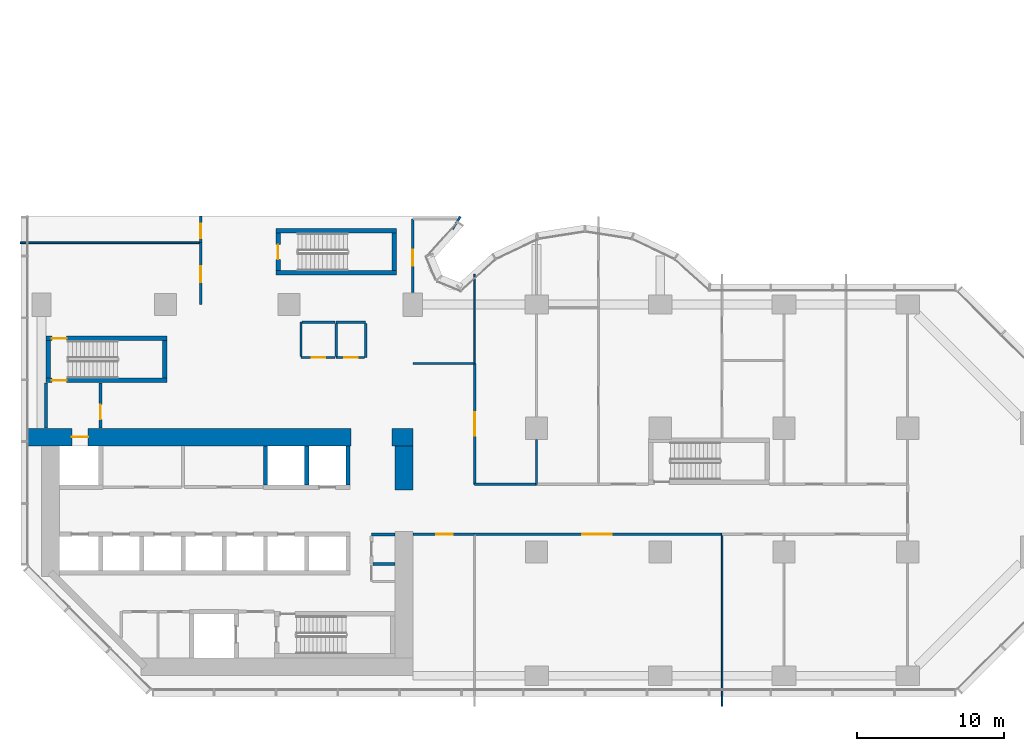
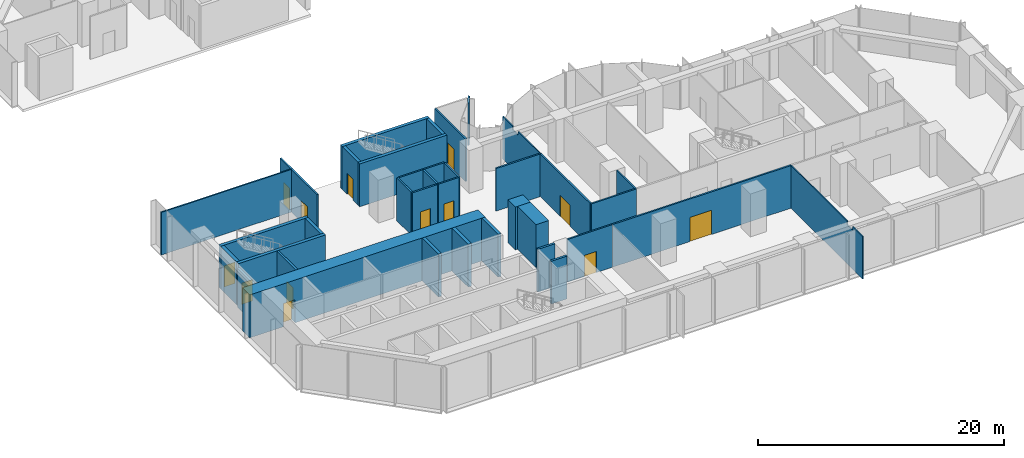
# One storey, part 8 of 13: 38 walls, 13 doors, 13 openings.
"""IFC4 building model written with IfcOpenShell, lengths in metres."""

from ifc_helpers import new_model, si_unit, direction, frame, frame_2d, origin, place, context, subcontext, project, spatial, polyline, rectangle, outline, extrude, material, layer, layer_set, type_object, element, fill, save


model = new_model("IFC4")

# Units and contexts
model_context = context("Model", 3, precision=1e-05, world=origin(), true_north=direction((0.0, 1.0)))
body_context = subcontext(model_context, "Body", "Model", "MODEL_VIEW")
ifc_project = project(units=[si_unit("LENGTHUNIT", "METRE"), si_unit("AREAUNIT", "SQUARE_METRE"), si_unit("VOLUMEUNIT", "CUBIC_METRE"), si_unit("PLANEANGLEUNIT", "RADIAN"), si_unit("MASSUNIT", "GRAM", prefix="KILO")], contexts=[model_context])

# Site, building, storey
site_placement = place(None, origin())
site = spatial("IfcSite", under=ifc_project, at=site_placement, CompositionType="ELEMENT")
building_placement = place(site_placement, origin())
building = spatial("IfcBuilding", under=site, at=building_placement, Name="Brevane Broadcast Tower", CompositionType="ELEMENT")
storey_placement = place(building_placement, frame((0.0, 0.0, 32.0)))
storey = spatial("IfcBuildingStorey", under=building, at=storey_placement, Name="L05", CompositionType="ELEMENT", Elevation=32.0)

# Walls
ifc_material_1 = material(Name="Gypsum board on steel studs", Category="steel")
ifc_layer_1 = layer(ifc_material_1, 0.14990234375)
ifc_layer_set_1 = layer_set([ifc_layer_1], Name="Core fire partition 150 mm")
wall_type_1 = type_object("IfcWallType", Name="Core fire partition 150 mm", PredefinedType="PARTITIONING", material=ifc_layer_set_1)
wall_1_placement = place(storey_placement, frame((20.0, 24.0, 0.0), z_axis=(0.0, 0.0, 1.0), x_axis=(1.0, 0.0, 0.0)))
element("IfcWall", 1, at=wall_1_placement, inside=storey, type_object=wall_type_1, Name="L05 partition wall P14", PredefinedType="PARTITIONING", context=body_context, shape_type="SweptSolid", body=[
    extrude(rectangle(XDim=2.0, YDim=0.14990234375, at=frame_2d((1.0, 0.0))), origin(), (0.0, 0.0, 1.0), 4.25),
])
wall_2_placement = place(storey_placement, frame((22.0, 23.925048828125, 0.0), z_axis=(0.0, 0.0, 1.0), x_axis=(0.0, -1.0, 0.0)))
element("IfcWall", 2, at=wall_2_placement, inside=storey, type_object=wall_type_1, Name="L05 partition wall P15", PredefinedType="PARTITIONING", context=body_context, shape_type="SweptSolid", body=[
    extrude(rectangle(XDim=2.324951171875, YDim=0.14990234375, at=frame_2d((1.16259765625, 0.0))), origin(), (0.0, 0.0, 1.0), 4.25),
])

# Wall, opening, door
wall_3_placement = place(storey_placement, frame((21.925048828125, 21.60009765625, 0.0), z_axis=(0.0, 0.0, 1.0), x_axis=(-1.0, 0.0, 0.0)))
wall_3 = element("IfcWall", 3, at=wall_3_placement, inside=storey, type_object=wall_type_1, Name="L05 partition wall P16", PredefinedType="PARTITIONING", context=body_context, shape_type="SweptSolid", body=[
    extrude(rectangle(XDim=1.925048828125, YDim=0.14990234375, at=frame_2d((0.96240234375, 0.0))), origin(), (0.0, 0.0, 1.0), 4.25),
])
opening_1_placement = place(wall_3_placement, frame((0.47509765625, 0.0, 0.0)))
opening_1 = element("IfcOpeningElement", 4, at=opening_1_placement, cuts=wall_3, Name="Opening L05-K27", PredefinedType="OPENING", context=body_context, shape_type="SweptSolid", body=[
    extrude(rectangle(XDim=0.89990234375, YDim=2.10009765625, at=frame_2d((0.449951171875, 1.050048828125))), frame((0.0, 0.0849609375, 0.0), z_axis=(0.0, -1.0, 0.0), x_axis=(1.0, 0.0, 0.0)), (0.0, 0.0, 1.0), 0.169921875),
])
ifc_material_2 = material(Name="Timber", Category="wood")
door_type_1 = type_object("IfcDoorType", Name="Toilet door 900 x 2100", OperationType="SINGLE_SWING_LEFT", PredefinedType="DOOR", material=ifc_material_2)
door_1_placement = place(opening_1_placement, origin())
door_1 = element("IfcDoor", 5, at=door_1_placement, inside=storey, type_object=door_type_1, Name="Door L05-K27", OperationType="SINGLE_SWING_RIGHT", OverallHeight=2.10009765625, OverallWidth=0.89990234375, PredefinedType="DOOR", context=body_context, shape_type="SweptSolid", body=[
    extrude(rectangle(XDim=0.89990234375, YDim=2.10009765625, at=frame_2d((0.449951171875, 1.050048828125))), frame((0.0, 0.02490234375, 0.0), z_axis=(0.0, -1.0, 0.0), x_axis=(1.0, 0.0, 0.0)), (0.0, 0.0, 1.0), 0.050048828125),
])
fill(opening_1, door_1)

# Wall
wall_4_placement = place(storey_placement, frame((20.0, 21.675048828125, 0.0), z_axis=(0.0, 0.0, 1.0), x_axis=(0.0, 1.0, 0.0)))
element("IfcWall", 6, at=wall_4_placement, inside=storey, type_object=wall_type_1, Name="L05 partition wall P17", PredefinedType="PARTITIONING", context=body_context, shape_type="SweptSolid", body=[
    extrude(rectangle(XDim=2.25, YDim=0.14990234375, at=frame_2d((1.125, 0.0))), origin(), (0.0, 0.0, 1.0), 4.25),
])

# Wall, opening, door
wall_5_placement = place(storey_placement, frame((19.925048828125, 21.60009765625, 0.0), z_axis=(0.0, 0.0, 1.0), x_axis=(-1.0, 0.0, 0.0)))
wall_5 = element("IfcWall", 7, at=wall_5_placement, inside=storey, type_object=wall_type_1, Name="L05 partition wall P18", PredefinedType="PARTITIONING", context=body_context, shape_type="SweptSolid", body=[
    extrude(rectangle(XDim=2.324951171875, YDim=0.14990234375, at=frame_2d((1.16259765625, 0.0))), origin(), (0.0, 0.0, 1.0), 4.25),
])
opening_2_placement = place(wall_5_placement, frame((0.675048828125, 0.0, 0.0)))
opening_2 = element("IfcOpeningElement", 8, at=opening_2_placement, cuts=wall_5, Name="Opening L05-K28", PredefinedType="OPENING", context=body_context, shape_type="SweptSolid", body=[
    extrude(rectangle(XDim=0.89990234375, YDim=2.10009765625, at=frame_2d((0.449951171875, 1.050048828125))), frame((0.0, 0.0849609375, 0.0), z_axis=(0.0, -1.0, 0.0), x_axis=(1.0, 0.0, 0.0)), (0.0, 0.0, 1.0), 0.169921875),
])
ifc_material_3 = material(Name="Steel", Category="steel")
door_type_2 = type_object("IfcDoorType", Name="Service room door 900 x 2100", OperationType="SINGLE_SWING_LEFT", PredefinedType="DOOR", material=ifc_material_3)
door_2_placement = place(opening_2_placement, origin())
door_2 = element("IfcDoor", 9, at=door_2_placement, inside=storey, type_object=door_type_2, Name="Door L05-K28", OperationType="SINGLE_SWING_LEFT", OverallHeight=2.10009765625, OverallWidth=0.89990234375, PredefinedType="DOOR", context=body_context, shape_type="SweptSolid", body=[
    extrude(rectangle(XDim=0.89990234375, YDim=2.10009765625, at=frame_2d((0.449951171875, 1.050048828125))), frame((0.0, 0.02490234375, 0.0), z_axis=(0.0, -1.0, 0.0), x_axis=(1.0, 0.0, 0.0)), (0.0, 0.0, 1.0), 0.050048828125),
])
fill(opening_2, door_2)

# Walls
wall_6_placement = place(storey_placement, frame((17.60009765625, 21.675048828125, 0.0), z_axis=(0.0, 0.0, 1.0), x_axis=(0.0, 1.0, 0.0)))
element("IfcWall", 10, at=wall_6_placement, inside=storey, type_object=wall_type_1, Name="L05 partition wall P19", PredefinedType="PARTITIONING", context=body_context, shape_type="SweptSolid", body=[
    extrude(rectangle(XDim=2.324951171875, YDim=0.14990234375, at=frame_2d((1.16259765625, 0.0))), origin(), (0.0, 0.0, 1.0), 4.25),
])
wall_7_placement = place(storey_placement, frame((17.675048828125, 24.0, 0.0), z_axis=(0.0, 0.0, 1.0), x_axis=(1.0, 0.0, 0.0)))
element("IfcWall", 11, at=wall_7_placement, inside=storey, type_object=wall_type_1, Name="L05 partition wall P20", PredefinedType="PARTITIONING", context=body_context, shape_type="SweptSolid", body=[
    extrude(rectangle(XDim=2.25, YDim=0.14990234375, at=frame_2d((1.125, 0.0))), origin(), (0.0, 0.0, 1.0), 4.25),
])
ifc_layer_2 = layer(ifc_material_1, 0.199951171875)
ifc_layer_set_2 = layer_set([ifc_layer_2], Name="Core fire partition 200 mm")
wall_type_2 = type_object("IfcWallType", Name="Core fire partition 200 mm", PredefinedType="PARTITIONING", material=ifc_layer_set_2)
wall_8_placement = place(storey_placement, frame((0.300048828125, 16.81201171875, 0.0), z_axis=(0.0, 0.0, 1.0), x_axis=(0.0, 1.0, 0.0)))
element("IfcWall", 12, at=wall_8_placement, inside=storey, type_object=wall_type_2, Name="L05 partition wall P01", PredefinedType="PARTITIONING", context=body_context, shape_type="SweptSolid", body=[
    extrude(rectangle(XDim=3.075927734375, YDim=0.199951171875, at=frame_2d((1.5380859375, 0.0))), origin(), (0.0, 0.0, 1.0), 3.8798828125),
])

# Wall, opening, door
wall_9_placement = place(storey_placement, frame((4.0, 19.887939453125, 0.0), z_axis=(0.0, 0.0, 1.0), x_axis=(0.0, -1.0, 0.0)))
wall_9 = element("IfcWall", 13, at=wall_9_placement, inside=storey, type_object=wall_type_2, Name="L05 partition wall P02", PredefinedType="PARTITIONING", context=body_context, shape_type="SweptSolid", body=[
    extrude(rectangle(XDim=3.075927734375, YDim=0.199951171875, at=frame_2d((1.5380859375, 0.0))), origin(), (0.0, 0.0, 1.0), 4.25),
])
opening_3_placement = place(wall_9_placement, frame((1.488037109375, 0.0, 0.0)))
opening_3 = element("IfcOpeningElement", 14, at=opening_3_placement, cuts=wall_9, Name="Opening L05-K26", PredefinedType="OPENING", context=body_context, shape_type="SweptSolid", body=[
    extrude(rectangle(XDim=1.0, YDim=2.10009765625, at=frame_2d((0.5, 1.050048828125))), frame((0.0, 0.10986328125, 0.0), z_axis=(0.0, -1.0, 0.0), x_axis=(1.0, 0.0, 0.0)), (0.0, 0.0, 1.0), 0.219970703125),
])
door_type_3 = type_object("IfcDoorType", Name="Stair door 1000 x 2100", OperationType="SINGLE_SWING_LEFT", PredefinedType="DOOR", material=ifc_material_3)
door_3_placement = place(opening_3_placement, origin())
door_3 = element("IfcDoor", 15, at=door_3_placement, inside=storey, type_object=door_type_3, Name="Door L05-K26", OperationType="SINGLE_SWING_LEFT", OverallHeight=2.10009765625, OverallWidth=1.0, PredefinedType="DOOR", context=body_context, shape_type="SweptSolid", body=[
    extrude(rectangle(XDim=1.0, YDim=2.10009765625, at=frame_2d((0.5, 1.050048828125))), frame((0.0, 0.02490234375, 0.0), z_axis=(0.0, -1.0, 0.0), x_axis=(1.0, 0.0, 0.0)), (0.0, 0.0, 1.0), 0.050048828125),
])
fill(opening_3, door_3)

# Walls
wall_10_placement = place(storey_placement, frame((23.988037109375, 9.60009765625, 0.0), z_axis=(0.0, 0.0, 1.0), x_axis=(-1.0, 0.0, 0.0)))
element("IfcWall", 16, at=wall_10_placement, inside=storey, type_object=wall_type_2, Name="L05 partition wall P06", PredefinedType="PARTITIONING", context=body_context, shape_type="SweptSolid", body=[
    extrude(rectangle(XDim=1.588134765625, YDim=0.199951171875, at=frame_2d((0.7939453125, 0.0))), origin(), (0.0, 0.0, 1.0), 4.25),
])
wall_11_placement = place(storey_placement, frame((22.5, 7.60009765625, 0.0), z_axis=(0.0, 0.0, 1.0), x_axis=(1.0, 0.0, 0.0)))
element("IfcWall", 17, at=wall_11_placement, inside=storey, type_object=wall_type_2, Name="L05 partition wall P08", PredefinedType="PARTITIONING", context=body_context, shape_type="SweptSolid", body=[
    extrude(rectangle(XDim=1.488037109375, YDim=0.199951171875, at=frame_2d((0.744140625, 0.0))), origin(), (0.0, 0.0, 1.0), 4.25),
])

# Wall, opening, door
ifc_material_4 = material(Name="Concrete C80/95", Category="concrete")
ifc_layer_3 = layer(ifc_material_4, 1.199951171875)
ifc_layer_set_3 = layer_set([ifc_layer_3], Name="Core wall 1200 mm C80/95")
wall_type_3 = type_object("IfcWallType", Name="Core wall 1200 mm C80/95", PredefinedType="SHEAR", material=ifc_layer_set_3)
wall_12_placement = place(storey_placement, frame((-1.10009765625, 16.199951171875, 0.0), z_axis=(0.0, 0.0, 1.0), x_axis=(1.0, 0.0, 0.0)))
wall_12 = element("IfcWall", 18, at=wall_12_placement, inside=storey, type_object=wall_type_3, Name="L05 outer wall WN1", PredefinedType="SHEAR", context=body_context, shape_type="SweptSolid", body=[
    extrude(rectangle(XDim=22.10009765625, YDim=1.199951171875, at=frame_2d((11.050048828125, 0.0))), origin(), (0.0, 0.0, 1.0), 4.25),
])
opening_4_placement = place(wall_12_placement, frame((3.14990234375, 0.0, 0.0)))
opening_4 = element("IfcOpeningElement", 19, at=opening_4_placement, cuts=wall_12, Name="Opening LD", PredefinedType="OPENING", context=body_context, shape_type="SweptSolid", body=[
    extrude(rectangle(XDim=1.10009765625, YDim=2.300048828125, at=frame_2d((0.550048828125, 1.14990234375))), frame((0.0, 0.60986328125, 0.0), z_axis=(0.0, -1.0, 0.0), x_axis=(1.0, 0.0, 0.0)), (0.0, 0.0, 1.0), 1.219970703125),
])
ifc_material_5 = material(Name="Stainless steel", Category="steel")
door_type_4 = type_object("IfcDoorType", Name="Lift landing door", OperationType="SLIDING_TO_LEFT", PredefinedType="DOOR", material=ifc_material_5)
door_4_placement = place(opening_4_placement, origin())
door_4 = element("IfcDoor", 20, at=door_4_placement, inside=storey, type_object=door_type_4, Name="Landing door FF1 L05", OperationType="SLIDING_TO_LEFT", OverallHeight=2.300048828125, OverallWidth=1.10009765625, PredefinedType="DOOR", context=body_context, shape_type="SweptSolid", body=[
    extrude(rectangle(XDim=1.10009765625, YDim=2.300048828125, at=frame_2d((0.550048828125, 1.14990234375))), frame((0.0, 0.02490234375, 0.0), z_axis=(0.0, -1.0, 0.0), x_axis=(1.0, 0.0, 0.0)), (0.0, 0.0, 1.0), 0.050048828125),
])
fill(opening_4, door_4)

# Walls
wall_13_placement = place(storey_placement, frame((23.800048828125, 16.199951171875, 0.0), z_axis=(0.0, 0.0, 1.0), x_axis=(1.0, 0.0, 0.0)))
element("IfcWall", 21, at=wall_13_placement, inside=storey, type_object=wall_type_3, Name="L05 outer wall WN2", PredefinedType="SHEAR", context=body_context, shape_type="SweptSolid", body=[
    extrude(rectangle(XDim=1.39990234375, YDim=1.199951171875, at=frame_2d((0.699951171875, 0.0))), origin(), (0.0, 0.0, 1.0), 4.25),
])
wall_14_placement = place(storey_placement, frame((24.60009765625, 12.60009765625, 0.0), z_axis=(0.0, 0.0, 1.0), x_axis=(0.0, 1.0, 0.0)))
element("IfcWall", 22, at=wall_14_placement, inside=storey, type_object=wall_type_3, Name="L05 outer wall WE2", PredefinedType="SHEAR", context=body_context, shape_type="SweptSolid", body=[
    extrude(rectangle(XDim=3.0, YDim=1.199951171875, at=frame_2d((1.5, 0.0))), origin(), (0.0, 0.0, 1.0), 4.25),
])
ifc_layer_4 = layer(ifc_material_4, 0.300048828125)
ifc_layer_set_4 = layer_set([ifc_layer_4], Name="Core wall 300 mm C80/95")
wall_type_4 = type_object("IfcWallType", Name="Core wall 300 mm C80/95", PredefinedType="SHEAR", material=ifc_layer_set_4)
for number, where, z_axis, x_axis, name in (
    (23, (15.199951171875, 12.949951171875, 0.0), (0.0, 0.0, 1.0), (0.0, 1.0, 0.0), "L05 shaft wall SH-N-P152"),
    (24, (18.0, 12.949951171875, 0.0), (0.0, 0.0, 1.0), (0.0, 1.0, 0.0), "L05 shaft wall SH-N-P180"),
    (25, (20.800048828125, 12.949951171875, 0.0), (0.0, 0.0, 1.0), (0.0, 1.0, 0.0), "L05 shaft wall SH-N-P208"),
):
    element("IfcWall", number, at=place(storey_placement, frame(where, z_axis=z_axis, x_axis=x_axis)), inside=storey, type_object=wall_type_4, Name=name, PredefinedType="SHEAR", context=body_context, shape_type="SweptSolid", body=[
        extrude(rectangle(XDim=2.650146484375, YDim=0.300048828125, at=frame_2d((1.3251953125, 0.0))), origin(), (0.0, 0.0, 1.0), 4.25),
    ])

# Wall, opening, door
wall_15_placement = place(storey_placement, frame((8.5, 20.050048828125, 0.0), z_axis=(0.0, 0.0, 1.0), x_axis=(-1.0, 0.0, 0.0)))
wall_15 = element("IfcWall", 26, at=wall_15_placement, inside=storey, type_object=wall_type_4, Name="L05 stair wall ST-1-S", PredefinedType="SHEAR", context=body_context, shape_type="SweptSolid", body=[
    extrude(rectangle(XDim=8.199951171875, YDim=0.300048828125, at=frame_2d((4.10009765625, 0.0))), origin(), (0.0, 0.0, 1.0), 4.25),
])
opening_5_placement = place(wall_15_placement, frame((6.800048828125, 0.0, 0.0)))
opening_5 = element("IfcOpeningElement", 27, at=opening_5_placement, cuts=wall_15, Name="Opening L05-K11", PredefinedType="OPENING", context=body_context, shape_type="SweptSolid", body=[
    extrude(rectangle(XDim=1.0, YDim=2.10009765625, at=frame_2d((0.5, 1.050048828125))), frame((0.0, 0.159912109375, 0.0), z_axis=(0.0, -1.0, 0.0), x_axis=(1.0, 0.0, 0.0)), (0.0, 0.0, 1.0), 0.320068359375),
])
door_5_placement = place(opening_5_placement, origin())
door_5 = element("IfcDoor", 28, at=door_5_placement, inside=storey, type_object=door_type_3, Name="Door L05-K11", OperationType="SINGLE_SWING_RIGHT", OverallHeight=2.10009765625, OverallWidth=1.0, PredefinedType="DOOR", context=body_context, shape_type="SweptSolid", body=[
    extrude(rectangle(XDim=1.0, YDim=2.10009765625, at=frame_2d((0.5, 1.050048828125))), frame((0.0, 0.02490234375, 0.0), z_axis=(0.0, -1.0, 0.0), x_axis=(1.0, 0.0, 0.0)), (0.0, 0.0, 1.0), 0.050048828125),
])
fill(opening_5, door_5)

wall_16_placement = place(storey_placement, frame((0.300048828125, 22.89990234375, 0.0), z_axis=(0.0, 0.0, 1.0), x_axis=(1.0, 0.0, 0.0)))
wall_16 = element("IfcWall", 29, at=wall_16_placement, inside=storey, type_object=wall_type_4, Name="L05 stair wall ST-1-N", PredefinedType="SHEAR", context=body_context, shape_type="SweptSolid", body=[
    extrude(rectangle(XDim=8.199951171875, YDim=0.300048828125, at=frame_2d((4.10009765625, 0.0))), origin(), (0.0, 0.0, 1.0), 4.25),
])
opening_6_placement = place(wall_16_placement, frame((0.39990234375, 0.0, 0.0)))
opening_6 = element("IfcOpeningElement", 30, at=opening_6_placement, cuts=wall_16, Name="Opening L05-K12", PredefinedType="OPENING", context=body_context, shape_type="SweptSolid", body=[
    extrude(rectangle(XDim=1.0, YDim=2.10009765625, at=frame_2d((0.5, 1.050048828125))), frame((0.0, 0.159912109375, 0.0), z_axis=(0.0, -1.0, 0.0), x_axis=(1.0, 0.0, 0.0)), (0.0, 0.0, 1.0), 0.320068359375),
])
door_6_placement = place(opening_6_placement, origin())
door_6 = element("IfcDoor", 31, at=door_6_placement, inside=storey, type_object=door_type_3, Name="Door L05-K12", OperationType="SINGLE_SWING_LEFT", OverallHeight=2.10009765625, OverallWidth=1.0, PredefinedType="DOOR", context=body_context, shape_type="SweptSolid", body=[
    extrude(rectangle(XDim=1.0, YDim=2.10009765625, at=frame_2d((0.5, 1.050048828125))), frame((0.0, 0.02490234375, 0.0), z_axis=(0.0, -1.0, 0.0), x_axis=(1.0, 0.0, 0.0)), (0.0, 0.0, 1.0), 0.050048828125),
])
fill(opening_6, door_6)

# Walls
for number, where, z_axis, x_axis, name in (
    (32, (0.449951171875, 20.199951171875, 0.0), (0.0, 0.0, 1.0), (0.0, 1.0, 0.0), "L05 stair wall ST-1-W"),
    (33, (8.35009765625, 20.199951171875, 0.0), (0.0, 0.0, 1.0), (0.0, 1.0, 0.0), "L05 stair wall ST-1-E"),
):
    element("IfcWall", number, at=place(storey_placement, frame(where, z_axis=z_axis, x_axis=x_axis)), inside=storey, type_object=wall_type_4, Name=name, PredefinedType="SHEAR", context=body_context, shape_type="SweptSolid", body=[
        extrude(rectangle(XDim=2.550048828125, YDim=0.300048828125, at=frame_2d((1.27490234375, 0.0))), origin(), (0.0, 0.0, 1.0), 4.25),
    ])
for number, where, z_axis, x_axis, name in (
    (34, (15.89990234375, 27.35009765625, 0.0), (0.0, 0.0, 1.0), (1.0, 0.0, 0.0), "L05 stair wall ST-3-S"),
    (35, (15.89990234375, 30.199951171875, 0.0), (0.0, 0.0, 1.0), (1.0, 0.0, 0.0), "L05 stair wall ST-3-N"),
):
    element("IfcWall", number, at=place(storey_placement, frame(where, z_axis=z_axis, x_axis=x_axis)), inside=storey, type_object=wall_type_4, Name=name, PredefinedType="SHEAR", context=body_context, shape_type="SweptSolid", body=[
        extrude(rectangle(XDim=8.2001953125, YDim=0.300048828125, at=frame_2d((4.10009765625, 0.0))), origin(), (0.0, 0.0, 1.0), 4.25),
    ])

# Wall, opening, door
wall_17_placement = place(storey_placement, frame((16.050048828125, 27.5, 0.0), z_axis=(0.0, 0.0, 1.0), x_axis=(0.0, 1.0, 0.0)))
wall_17 = element("IfcWall", 36, at=wall_17_placement, inside=storey, type_object=wall_type_4, Name="L05 stair wall ST-3-W", PredefinedType="SHEAR", context=body_context, shape_type="SweptSolid", body=[
    extrude(rectangle(XDim=2.550048828125, YDim=0.300048828125, at=frame_2d((1.27490234375, 0.0))), origin(), (0.0, 0.0, 1.0), 4.25),
])
opening_7_placement = place(wall_17_placement, frame((0.77490234375, 0.0, 0.0)))
opening_7 = element("IfcOpeningElement", 37, at=opening_7_placement, cuts=wall_17, Name="Opening L05-K15", PredefinedType="OPENING", context=body_context, shape_type="SweptSolid", body=[
    extrude(rectangle(XDim=1.0, YDim=2.10009765625, at=frame_2d((0.5, 1.050048828125))), frame((0.0, 0.159912109375, 0.0), z_axis=(0.0, -1.0, 0.0), x_axis=(1.0, 0.0, 0.0)), (0.0, 0.0, 1.0), 0.320068359375),
])
door_7_placement = place(opening_7_placement, origin())
door_7 = element("IfcDoor", 38, at=door_7_placement, inside=storey, type_object=door_type_3, Name="Door L05-K15", OperationType="SINGLE_SWING_RIGHT", OverallHeight=2.10009765625, OverallWidth=1.0, PredefinedType="DOOR", context=body_context, shape_type="SweptSolid", body=[
    extrude(rectangle(XDim=1.0, YDim=2.10009765625, at=frame_2d((0.5, 1.050048828125))), frame((0.0, 0.02490234375, 0.0), z_axis=(0.0, -1.0, 0.0), x_axis=(1.0, 0.0, 0.0)), (0.0, 0.0, 1.0), 0.050048828125),
])
fill(opening_7, door_7)

# Walls
wall_18_placement = place(storey_placement, frame((23.949951171875, 27.5, 0.0), z_axis=(0.0, 0.0, 1.0), x_axis=(0.0, 1.0, 0.0)))
element("IfcWall", 39, at=wall_18_placement, inside=storey, type_object=wall_type_4, Name="L05 stair wall ST-3-E", PredefinedType="SHEAR", context=body_context, shape_type="SweptSolid", body=[
    extrude(rectangle(XDim=2.550048828125, YDim=0.300048828125, at=frame_2d((1.27490234375, 0.0))), origin(), (0.0, 0.0, 1.0), 4.25),
])
ifc_material_6 = material(Name="Gypsum board partition")
ifc_layer_5 = layer(ifc_material_6, 0.10009765625)
ifc_layer_set_5 = layer_set([ifc_layer_5], Name="PARTITION 100 STUD")
wall_type_5 = type_object("IfcWallType", Name="PARTITION 100 STUD", PredefinedType="PARTITIONING", material=ifc_layer_set_5)
wall_19_placement = place(storey_placement, frame((29.39990234375, 27.27490234375, 0.0), z_axis=(0.0, 0.0, 1.0), x_axis=(0.0, -1.0, 0.0)))
element("IfcWall", 40, at=wall_19_placement, inside=storey, type_object=wall_type_5, Name="Partition P5-004", PredefinedType="PARTITIONING", context=body_context, shape_type="SweptSolid", body=[
    extrude(outline(polyline([(0.0, 0.0), (6.074951171875, 0.0), (6.074951171875, 4.22998046875), (2.52490234375, 4.22998046875), (2.52294921875, 3.8798828125), (1.626953125, 3.8798828125), (1.625, 4.22998046875), (0.0, 4.22998046875), (0.0, 0.0)])), frame((0.0, 0.050048828125, 0.0), z_axis=(0.0, -1.0, 0.0), x_axis=(1.0, 0.0, 0.0)), (0.0, 0.0, 1.0), 0.10009765625),
])
wall_20_placement = place(storey_placement, frame((46.199951171875, 9.60009765625, 0.0), z_axis=(0.0, 0.0, 1.0), x_axis=(0.0, -1.0, 0.0)))
element("IfcWall", 41, at=wall_20_placement, inside=storey, type_object=wall_type_5, Name="Partition P5-023", PredefinedType="PARTITIONING", context=body_context, shape_type="SweptSolid", body=[
    extrude(outline(polyline([(0.0, 0.0), (11.670166015625, 0.0), (11.669921875, 4.22998046875), (10.699951171875, 4.22998046875), (10.050048828125, 4.22998046875), (10.048095703125, 3.8798828125), (9.152099609375, 3.8798828125), (9.14990234375, 4.22998046875), (0.0, 4.22998046875), (0.0, 0.0)])), frame((0.0, 0.050048828125, 0.0), z_axis=(0.0, -1.0, 0.0), x_axis=(1.0, 0.0, 0.0)), (0.0, 0.0, 1.0), 0.10009765625),
])
ifc_layer_6 = layer(ifc_material_6, 0.125)
ifc_layer_set_6 = layer_set([ifc_layer_6], Name="PARTITION 125 ACOUSTIC")
wall_type_6 = type_object("IfcWallType", Name="PARTITION 125 ACOUSTIC", PredefinedType="PARTITIONING", material=ifc_layer_set_6)
wall_21_placement = place(storey_placement, frame((33.60009765625, 16.030029296875, 0.0), z_axis=(0.0, 0.0, 1.0), x_axis=(0.0, -1.0, 0.0)))
element("IfcWall", 42, at=wall_21_placement, inside=storey, type_object=wall_type_6, Name="Partition P5-027", PredefinedType="PARTITIONING", context=body_context, shape_type="SweptSolid", body=[
    extrude(rectangle(XDim=3.030029296875, YDim=0.125, at=frame_2d((1.51513671875, 0.0))), origin(), (0.0, 0.0, 1.0), 4.22998046875),
])
wall_22_placement = place(storey_placement, frame((-1.469970703125, 29.39990234375, 0.0), z_axis=(0.0, 0.0, 1.0), x_axis=(1.0, 0.0, 0.0)))
element("IfcWall", 43, at=wall_22_placement, inside=storey, type_object=wall_type_6, Name="Partition P5-050", PredefinedType="PARTITIONING", context=body_context, shape_type="SweptSolid", body=[
    extrude(rectangle(XDim=12.27001953125, YDim=0.125, at=frame_2d((6.135009765625, 0.0))), origin(), (0.0, 0.0, 1.0), 4.22998046875),
])
ifc_layer_7 = layer(ifc_material_6, 0.14990234375)
ifc_layer_set_7 = layer_set([ifc_layer_7], Name="PARTITION 150 EI 60")
wall_type_7 = type_object("IfcWallType", Name="PARTITION 150 EI 60", PredefinedType="PARTITIONING", material=ifc_layer_set_7)
wall_23_placement = place(storey_placement, frame((25.199951171875, 21.199951171875, 0.0), z_axis=(0.0, 0.0, 1.0), x_axis=(1.0, 0.0, 0.0)))
element("IfcWall", 44, at=wall_23_placement, inside=storey, type_object=wall_type_7, Name="Partition P5-001", PredefinedType="PARTITIONING", context=body_context, shape_type="SweptSolid", body=[
    extrude(rectangle(XDim=4.199951171875, YDim=0.14990234375, at=frame_2d((2.10009765625, 0.0))), origin(), (0.0, 0.0, 1.0), 4.22998046875),
])

# Wall, opening, door
wall_24_placement = place(storey_placement, frame((29.39990234375, 9.60009765625, 0.0), z_axis=(0.0, 0.0, 1.0), x_axis=(-1.0, 0.0, 0.0)))
wall_24 = element("IfcWall", 45, at=wall_24_placement, inside=storey, type_object=wall_type_7, Name="Partition P5-002", PredefinedType="PARTITIONING", context=body_context, shape_type="SweptSolid", body=[
    extrude(rectangle(XDim=4.199951171875, YDim=0.14990234375, at=frame_2d((2.10009765625, 0.0))), origin(), (0.0, 0.0, 1.0), 4.22998046875),
])
opening_8_placement = place(wall_24_placement, frame((1.5, 0.0, 0.0)))
opening_8 = element("IfcOpeningElement", 46, at=opening_8_placement, cuts=wall_24, Name="Opening D06-003", PredefinedType="OPENING", context=body_context, shape_type="SweptSolid", body=[
    extrude(rectangle(XDim=1.10009765625, YDim=2.10009765625, at=frame_2d((0.550048828125, 1.050048828125))), frame((0.0, 0.0849609375, 0.0), z_axis=(0.0, -1.0, 0.0), x_axis=(1.0, 0.0, 0.0)), (0.0, 0.0, 1.0), 0.169921875),
])
ifc_material_7 = material(Name="Fire-rated timber door leaf", Category="wood")
door_type_5 = type_object("IfcDoorType", Name="DOOR SINGLE 1100 FD30S", OperationType="SINGLE_SWING_LEFT", PredefinedType="DOOR", material=ifc_material_7)
door_8_placement = place(opening_8_placement, origin())
door_8 = element("IfcDoor", 47, at=door_8_placement, inside=storey, type_object=door_type_5, Name="Door D06-003", OperationType="SINGLE_SWING_LEFT", OverallHeight=2.10009765625, OverallWidth=1.10009765625, PredefinedType="DOOR", context=body_context, shape_type="SweptSolid", body=[
    extrude(rectangle(XDim=1.10009765625, YDim=2.10009765625, at=frame_2d((0.550048828125, 1.050048828125))), frame((0.0, 0.02490234375, 0.0), z_axis=(0.0, -1.0, 0.0), x_axis=(1.0, 0.0, 0.0)), (0.0, 0.0, 1.0), 0.050048828125),
])
fill(opening_8, door_8)

wall_25_placement = place(storey_placement, frame((29.39990234375, 21.199951171875, 0.0), z_axis=(0.0, 0.0, 1.0), x_axis=(0.0, -1.0, 0.0)))
wall_25 = element("IfcWall", 48, at=wall_25_placement, inside=storey, type_object=wall_type_7, Name="Partition P5-003", PredefinedType="PARTITIONING", context=body_context, shape_type="SweptSolid", body=[
    extrude(rectangle(XDim=8.199951171875, YDim=0.14990234375, at=frame_2d((4.10009765625, 0.0))), origin(), (0.0, 0.0, 1.0), 4.22998046875),
])
opening_9_placement = place(wall_25_placement, frame((3.300048828125, 0.0, 0.0)))
opening_9 = element("IfcOpeningElement", 49, at=opening_9_placement, cuts=wall_25, Name="Opening D06-007", PredefinedType="OPENING", context=body_context, shape_type="SweptSolid", body=[
    extrude(rectangle(XDim=1.60009765625, YDim=2.10009765625, at=frame_2d((0.800048828125, 1.050048828125))), frame((0.0, 0.0849609375, 0.0), z_axis=(0.0, -1.0, 0.0), x_axis=(1.0, 0.0, 0.0)), (0.0, 0.0, 1.0), 0.169921875),
])
door_type_6 = type_object("IfcDoorType", Name="DOOR DOUBLE 1600 FD30S", OperationType="DOUBLE_DOOR_SINGLE_SWING", PredefinedType="DOOR", material=ifc_material_7)
door_9_placement = place(opening_9_placement, origin())
door_9 = element("IfcDoor", 50, at=door_9_placement, inside=storey, type_object=door_type_6, Name="Door D06-007", OperationType="DOUBLE_DOOR_SINGLE_SWING", OverallHeight=2.10009765625, OverallWidth=1.60009765625, PredefinedType="DOOR", context=body_context, shape_type="SweptSolid", body=[
    extrude(rectangle(XDim=1.60009765625, YDim=2.10009765625, at=frame_2d((0.800048828125, 1.050048828125))), frame((0.0, 0.02490234375, 0.0), z_axis=(0.0, -1.0, 0.0), x_axis=(1.0, 0.0, 0.0)), (0.0, 0.0, 1.0), 0.050048828125),
])
fill(opening_9, door_9)

wall_26_placement = place(storey_placement, frame((25.199951171875, 31.0, 0.0), z_axis=(0.0, 0.0, 1.0), x_axis=(0.0, -1.0, 0.0)))
wall_26 = element("IfcWall", 51, at=wall_26_placement, inside=storey, type_object=wall_type_7, Name="Partition P5-005", PredefinedType="PARTITIONING", context=body_context, shape_type="SweptSolid", body=[
    extrude(rectangle(XDim=4.97998046875, YDim=0.14990234375, at=frame_2d((2.489990234375, 0.0))), origin(), (0.0, 0.0, 1.0), 4.22998046875),
])
opening_10_placement = place(wall_26_placement, frame((2.080078125, 0.0, 0.0)))
opening_10 = element("IfcOpeningElement", 52, at=opening_10_placement, cuts=wall_26, Name="Opening D06-001", PredefinedType="OPENING", context=body_context, shape_type="SweptSolid", body=[
    extrude(rectangle(XDim=1.10009765625, YDim=2.10009765625, at=frame_2d((0.550048828125, 1.050048828125))), frame((0.0, 0.0849609375, 0.0), z_axis=(0.0, -1.0, 0.0), x_axis=(1.0, 0.0, 0.0)), (0.0, 0.0, 1.0), 0.169921875),
])
door_10_placement = place(opening_10_placement, origin())
door_10 = element("IfcDoor", 53, at=door_10_placement, inside=storey, type_object=door_type_5, Name="Door D06-001", OperationType="SINGLE_SWING_RIGHT", OverallHeight=2.10009765625, OverallWidth=1.10009765625, PredefinedType="DOOR", context=body_context, shape_type="SweptSolid", body=[
    extrude(rectangle(XDim=1.10009765625, YDim=2.10009765625, at=frame_2d((0.550048828125, 1.050048828125))), frame((0.0, 0.02490234375, 0.0), z_axis=(0.0, -1.0, 0.0), x_axis=(1.0, 0.0, 0.0)), (0.0, 0.0, 1.0), 0.050048828125),
])
fill(opening_10, door_10)

# Wall
wall_27_placement = place(storey_placement, frame((28.432373046875, 31.168212890625, 0.0), z_axis=(0.0, 0.0, 1.0), x_axis=(-0.540854867502, -0.841115932734, 0.0)))
element("IfcWall", 54, at=wall_27_placement, inside=storey, type_object=wall_type_7, Name="Partition P5-007", PredefinedType="PARTITIONING", context=body_context, shape_type="SweptSolid", body=[
    extrude(rectangle(XDim=1.0146484375, YDim=0.14990234375, at=frame_2d((0.50732421875, 0.0))), origin(), (0.0, 0.0, 1.0), 4.22998046875),
])

# Wall, opening, door
wall_28_placement = place(storey_placement, frame((46.199951171875, 9.60009765625, 0.0), z_axis=(0.0, 0.0, 1.0), x_axis=(-1.0, 0.0, 0.0)))
wall_28 = element("IfcWall", 55, at=wall_28_placement, inside=storey, type_object=wall_type_7, Name="Partition P5-009", PredefinedType="PARTITIONING", context=body_context, shape_type="SweptSolid", body=[
    extrude(rectangle(XDim=16.800048828125, YDim=0.14990234375, at=frame_2d((8.39990234375, 0.0))), origin(), (0.0, 0.0, 1.0), 4.22998046875),
])
opening_11_placement = place(wall_28_placement, frame((7.5, 0.0, 0.0)))
opening_11 = element("IfcOpeningElement", 56, at=opening_11_placement, cuts=wall_28, Name="Opening D06-004", PredefinedType="OPENING", context=body_context, shape_type="SweptSolid", body=[
    extrude(rectangle(XDim=2.0, YDim=2.39990234375, at=frame_2d((1.0, 1.199951171875))), frame((0.0, 0.0849609375, 0.0), z_axis=(0.0, -1.0, 0.0), x_axis=(1.0, 0.0, 0.0)), (0.0, 0.0, 1.0), 0.169921875),
])
door_type_7 = type_object("IfcDoorType", Name="DOOR DOUBLE 2000 FD30S", OperationType="DOUBLE_DOOR_SINGLE_SWING", PredefinedType="DOOR", material=ifc_material_7)
door_11_placement = place(opening_11_placement, origin())
door_11 = element("IfcDoor", 57, at=door_11_placement, inside=storey, type_object=door_type_7, Name="Door D06-004", OperationType="DOUBLE_DOOR_SINGLE_SWING", OverallHeight=2.39990234375, OverallWidth=2.0, PredefinedType="DOOR", context=body_context, shape_type="SweptSolid", body=[
    extrude(rectangle(XDim=2.0, YDim=2.39990234375, at=frame_2d((1.0, 1.199951171875))), frame((0.0, 0.02490234375, 0.0), z_axis=(0.0, -1.0, 0.0), x_axis=(1.0, 0.0, 0.0)), (0.0, 0.0, 1.0), 0.050048828125),
])
fill(opening_11, door_11)

# Wall
wall_29_placement = place(storey_placement, frame((29.39990234375, 13.0, 0.0), z_axis=(0.0, 0.0, 1.0), x_axis=(1.0, 0.0, 0.0)))
element("IfcWall", 58, at=wall_29_placement, inside=storey, type_object=wall_type_7, Name="Partition P5-012", PredefinedType="PARTITIONING", context=body_context, shape_type="SweptSolid", body=[
    extrude(rectangle(XDim=4.2001953125, YDim=0.14990234375, at=frame_2d((2.10009765625, 0.0))), origin(), (0.0, 0.0, 1.0), 4.22998046875),
])

# Wall, opening, door
wall_30_placement = place(storey_placement, frame((10.800048828125, 25.199951171875, 0.0), z_axis=(0.0, 0.0, 1.0), x_axis=(0.0, 1.0, 0.0)))
wall_30 = element("IfcWall", 59, at=wall_30_placement, inside=storey, type_object=wall_type_7, Name="Partition P5-039", PredefinedType="PARTITIONING", context=body_context, shape_type="SweptSolid", body=[
    extrude(rectangle(XDim=4.199951171875, YDim=0.14990234375, at=frame_2d((2.10009765625, 0.0))), origin(), (0.0, 0.0, 1.0), 4.22998046875),
])
opening_12_placement = place(wall_30_placement, frame((1.5, 0.0, 0.0)))
opening_12 = element("IfcOpeningElement", 60, at=opening_12_placement, cuts=wall_30, Name="Opening D06-015", PredefinedType="OPENING", context=body_context, shape_type="SweptSolid", body=[
    extrude(rectangle(XDim=1.10009765625, YDim=2.10009765625, at=frame_2d((0.550048828125, 1.050048828125))), frame((0.0, 0.0849609375, 0.0), z_axis=(0.0, -1.0, 0.0), x_axis=(1.0, 0.0, 0.0)), (0.0, 0.0, 1.0), 0.169921875),
])
door_12_placement = place(opening_12_placement, origin())
door_12 = element("IfcDoor", 61, at=door_12_placement, inside=storey, type_object=door_type_5, Name="Door D06-015", OperationType="SINGLE_SWING_LEFT", OverallHeight=2.10009765625, OverallWidth=1.10009765625, PredefinedType="DOOR", context=body_context, shape_type="SweptSolid", body=[
    extrude(rectangle(XDim=1.10009765625, YDim=2.10009765625, at=frame_2d((0.550048828125, 1.050048828125))), frame((0.0, 0.02490234375, 0.0), z_axis=(0.0, -1.0, 0.0), x_axis=(1.0, 0.0, 0.0)), (0.0, 0.0, 1.0), 0.050048828125),
])
fill(opening_12, door_12)

wall_31_placement = place(storey_placement, frame((10.800048828125, 29.39990234375, 0.0), z_axis=(0.0, 0.0, 1.0), x_axis=(0.0, 1.0, 0.0)))
wall_31 = element("IfcWall", 62, at=wall_31_placement, inside=storey, type_object=wall_type_7, Name="Partition P5-040", PredefinedType="PARTITIONING", context=body_context, shape_type="SweptSolid", body=[
    extrude(rectangle(XDim=1.800048828125, YDim=0.14990234375, at=frame_2d((0.89990234375, 0.0))), origin(), (0.0, 0.0, 1.0), 4.22998046875),
])
opening_13_placement = place(wall_31_placement, frame((0.300048828125, 0.0, 0.0)))
opening_13 = element("IfcOpeningElement", 63, at=opening_13_placement, cuts=wall_31, Name="Opening D06-016", PredefinedType="OPENING", context=body_context, shape_type="SweptSolid", body=[
    extrude(rectangle(XDim=1.0, YDim=2.10009765625, at=frame_2d((0.5, 1.050048828125))), frame((0.0, 0.0849609375, 0.0), z_axis=(0.0, -1.0, 0.0), x_axis=(1.0, 0.0, 0.0)), (0.0, 0.0, 1.0), 0.169921875),
])
door_type_8 = type_object("IfcDoorType", Name="DOOR SINGLE 1000 FD30S", OperationType="SINGLE_SWING_LEFT", PredefinedType="DOOR", material=ifc_material_7)
door_13_placement = place(opening_13_placement, origin())
door_13 = element("IfcDoor", 64, at=door_13_placement, inside=storey, type_object=door_type_8, Name="Door D06-016", OperationType="SINGLE_SWING_LEFT", OverallHeight=2.10009765625, OverallWidth=1.0, PredefinedType="DOOR", context=body_context, shape_type="SweptSolid", body=[
    extrude(rectangle(XDim=1.0, YDim=2.10009765625, at=frame_2d((0.5, 1.050048828125))), frame((0.0, 0.02490234375, 0.0), z_axis=(0.0, -1.0, 0.0), x_axis=(1.0, 0.0, 0.0)), (0.0, 0.0, 1.0), 0.050048828125),
])
fill(opening_13, door_13)

save(model, "model.ifc")
